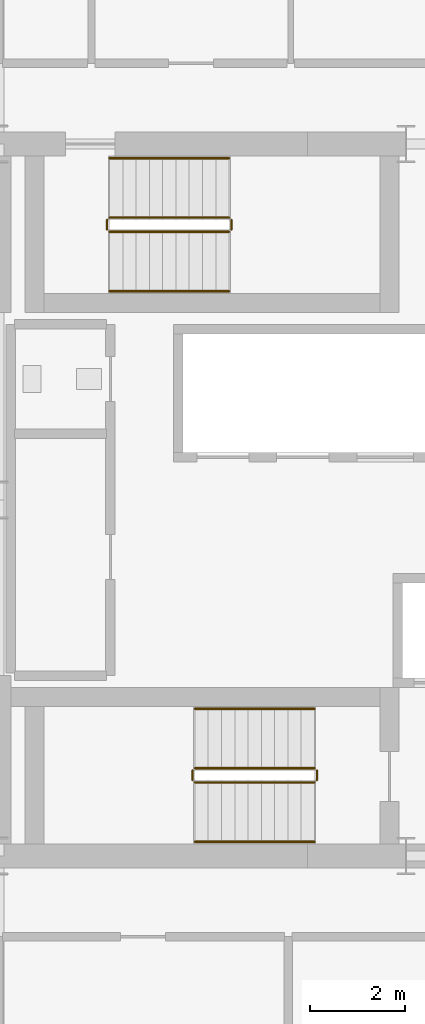
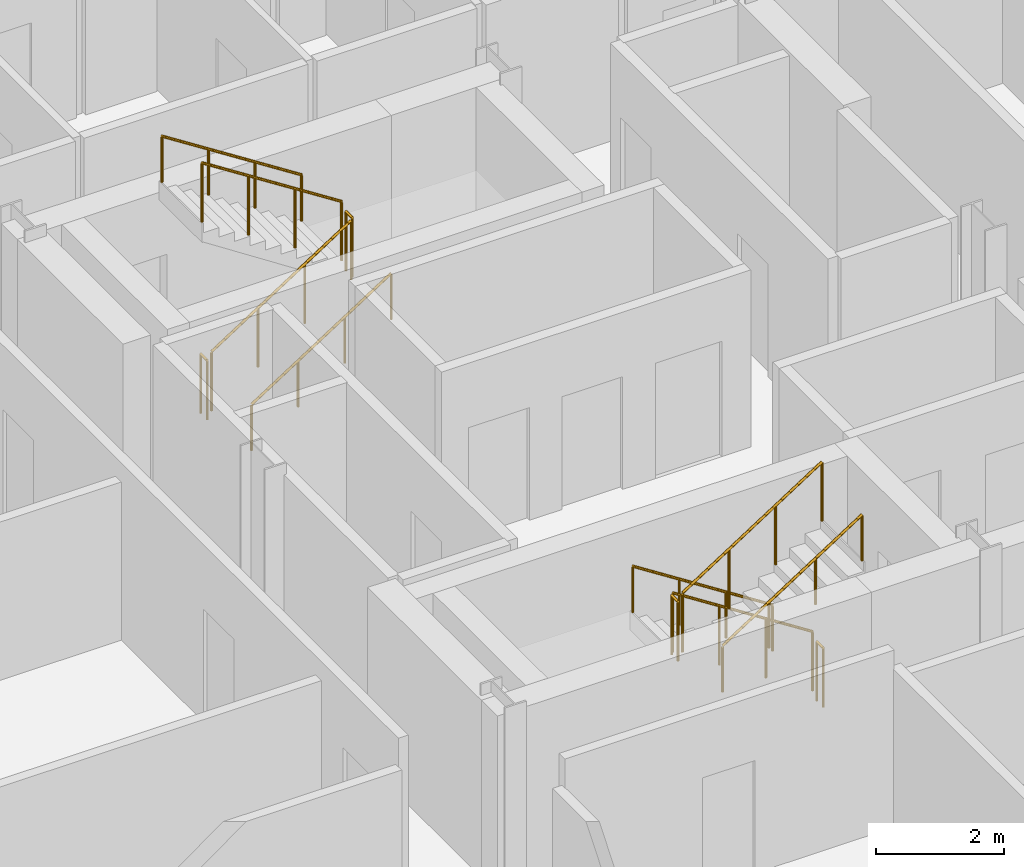
# One storey, part 20 of 21: 12 railings.
"""IFC4 building model written with IfcOpenShell, lengths in metres."""

from ifc_helpers import new_model, si_unit, direction, frame, origin, origin_2d, place, context, subcontext, project, spatial, circle, extrude, material, type_object, element, save


model = new_model("IFC4")

# Units and contexts
model_context = context("Model", 3, precision=1e-05, world=origin(), true_north=direction((0.0, 1.0)))
body_context = subcontext(model_context, "Body", "Model", "MODEL_VIEW")
ifc_project = project(units=[si_unit("LENGTHUNIT", "METRE"), si_unit("AREAUNIT", "SQUARE_METRE"), si_unit("VOLUMEUNIT", "CUBIC_METRE"), si_unit("PLANEANGLEUNIT", "RADIAN"), si_unit("MASSUNIT", "GRAM", prefix="KILO")], contexts=[model_context])

# Site, building, storey
site_placement = place(None, origin())
site = spatial("IfcSite", under=ifc_project, at=site_placement, CompositionType="ELEMENT")
building_placement = place(site_placement, origin())
building = spatial("IfcBuilding", under=site, at=building_placement, Name="Barlavira Tower and Art Museum", CompositionType="ELEMENT")
storey_placement = place(building_placement, frame((0.0, 0.0, 276.300048828125)))
storey = spatial("IfcBuildingStorey", under=building, at=storey_placement, Name="L72", CompositionType="ELEMENT", Elevation=276.300048828125)

# Railings
ifc_material = material(Name="Brushed stainless steel", Category="steel")
railing_type_1 = type_object("IfcRailingType", Name="Interior Void and Landing Guard Railing 1150", PredefinedType="GUARDRAIL", material=ifc_material)
railing_1_placement = place(storey_placement, frame((0.14990234375, -5.64990234375, 0.179931640625)))
element("IfcRailing", 1, at=railing_1_placement, inside=storey, type_object=railing_type_1, Name="L72 ST-T1 stair guard 1", PredefinedType="GUARDRAIL", context=body_context, shape_type="SweptSolid", body=[
    extrude(circle(Radius=0.02392578125, at=origin_2d()), frame((0.0, 0.0, 1.1259765625), z_axis=(-0.841162588446, 0.0, 0.540782303519), x_axis=(0.0, -1.0, 0.0)), (0.0, 0.0, 1.0), 2.995849609375),
    extrude(circle(Radius=0.02099609375, at=origin_2d()), origin(), (0.0, 0.0, 1.0), 1.101806640625),
    extrude(circle(Radius=0.02099609375, at=origin_2d()), frame((-0.840087890625, 0.0, 0.5400390625)), (0.0, 0.0, 1.0), 1.101806640625),
    extrude(circle(Radius=0.02099609375, at=origin_2d()), frame((-1.679931640625, 0.0, 1.080078125)), (0.0, 0.0, 1.0), 1.101806640625),
    extrude(circle(Radius=0.02099609375, at=origin_2d()), frame((-2.52001953125, 0.0, 1.6201171875)), (0.0, 0.0, 1.0), 1.101806640625),
])
railing_2_placement = place(storey_placement, frame((-2.419921875, -5.699951171875, 1.800048828125)))
element("IfcRailing", 2, at=railing_2_placement, inside=storey, type_object=railing_type_1, Name="L72 ST-T1 stair guard 2", PredefinedType="GUARDRAIL", context=body_context, shape_type="SweptSolid", body=[
    extrude(circle(Radius=0.02392578125, at=origin_2d()), frame((0.0, 0.0, 1.1259765625), z_axis=(0.0, -1.0, 0.0), x_axis=(1.0, 0.0, 0.0)), (0.0, 0.0, 1.0), 0.199951171875),
    extrude(circle(Radius=0.02099609375, at=origin_2d()), origin(), (0.0, 0.0, 1.0), 1.101806640625),
    extrude(circle(Radius=0.02099609375, at=origin_2d()), frame((0.0, -0.199951171875, 0.0)), (0.0, 0.0, 1.0), 1.101806640625),
])
railing_3_placement = place(storey_placement, frame((-2.3701171875, -5.949951171875, 1.97998046875)))
element("IfcRailing", 3, at=railing_3_placement, inside=storey, type_object=railing_type_1, Name="L72 ST-T1 stair guard 3", PredefinedType="GUARDRAIL", context=body_context, shape_type="SweptSolid", body=[
    extrude(circle(Radius=0.02392578125, at=origin_2d()), frame((0.0, 0.0, 1.1259765625), z_axis=(0.841199657755, 0.0, 0.540724639528), x_axis=(0.0, 1.0, 0.0)), (0.0, 0.0, 1.0), 2.995849609375),
    extrude(circle(Radius=0.02099609375, at=origin_2d()), origin(), (0.0, 0.0, 1.0), 1.101806640625),
    extrude(circle(Radius=0.02099609375, at=origin_2d()), frame((0.840087890625, 0.0, 0.5400390625)), (0.0, 0.0, 1.0), 1.101806640625),
    extrude(circle(Radius=0.02099609375, at=origin_2d()), frame((1.679931640625, 0.0, 1.079833984375)), (0.0, 0.0, 1.0), 1.101806640625),
    extrude(circle(Radius=0.02099609375, at=origin_2d()), frame((2.52001953125, 0.0, 1.619873046875)), (0.0, 0.0, 1.0), 1.101806640625),
])
railing_4_placement = place(storey_placement, frame((0.199951171875, -5.699951171875, 0.0)))
element("IfcRailing", 4, at=railing_4_placement, inside=storey, type_object=railing_type_1, Name="L72 ST-T1 stair guard 4", PredefinedType="GUARDRAIL", context=body_context, shape_type="SweptSolid", body=[
    extrude(circle(Radius=0.02392578125, at=origin_2d()), frame((0.0, 0.0, 1.1259765625), z_axis=(0.0, -1.0, 0.0), x_axis=(1.0, 0.0, 0.0)), (0.0, 0.0, 1.0), 0.199951171875),
    extrude(circle(Radius=0.02099609375, at=origin_2d()), origin(), (0.0, 0.0, 1.0), 1.101806640625),
    extrude(circle(Radius=0.02099609375, at=origin_2d()), frame((0.0, -0.199951171875, 0.0)), (0.0, 0.0, 1.0), 1.101806640625),
])
railing_5_placement = place(storey_placement, frame((-4.169921875, 5.64990234375, 0.179931640625)))
element("IfcRailing", 5, at=railing_5_placement, inside=storey, type_object=railing_type_1, Name="L72 ST-T2 stair guard 1", PredefinedType="GUARDRAIL", context=body_context, shape_type="SweptSolid", body=[
    extrude(circle(Radius=0.02392578125, at=origin_2d()), frame((0.0, 0.0, 1.1259765625), z_axis=(0.841162588446, 0.0, 0.540782303519), x_axis=(0.0, 1.0, 0.0)), (0.0, 0.0, 1.0), 2.995849609375),
    extrude(circle(Radius=0.02099609375, at=origin_2d()), origin(), (0.0, 0.0, 1.0), 1.101806640625),
    extrude(circle(Radius=0.02099609375, at=origin_2d()), frame((0.840087890625, 0.0, 0.5400390625)), (0.0, 0.0, 1.0), 1.101806640625),
    extrude(circle(Radius=0.02099609375, at=origin_2d()), frame((1.679931640625, 0.0, 1.080078125)), (0.0, 0.0, 1.0), 1.101806640625),
    extrude(circle(Radius=0.02099609375, at=origin_2d()), frame((2.52001953125, 0.0, 1.6201171875)), (0.0, 0.0, 1.0), 1.101806640625),
])
railing_6_placement = place(storey_placement, frame((-1.60009765625, 5.699951171875, 1.800048828125)))
element("IfcRailing", 6, at=railing_6_placement, inside=storey, type_object=railing_type_1, Name="L72 ST-T2 stair guard 2", PredefinedType="GUARDRAIL", context=body_context, shape_type="SweptSolid", body=[
    extrude(circle(Radius=0.02392578125, at=origin_2d()), frame((0.0, 0.0, 1.1259765625), z_axis=(0.0, 1.0, 0.0), x_axis=(-1.0, 0.0, 0.0)), (0.0, 0.0, 1.0), 0.199951171875),
    extrude(circle(Radius=0.02099609375, at=origin_2d()), origin(), (0.0, 0.0, 1.0), 1.101806640625),
    extrude(circle(Radius=0.02099609375, at=origin_2d()), frame((0.0, 0.199951171875, 0.0)), (0.0, 0.0, 1.0), 1.101806640625),
])
railing_7_placement = place(storey_placement, frame((-1.64990234375, 5.949951171875, 1.97998046875)))
element("IfcRailing", 7, at=railing_7_placement, inside=storey, type_object=railing_type_1, Name="L72 ST-T2 stair guard 3", PredefinedType="GUARDRAIL", context=body_context, shape_type="SweptSolid", body=[
    extrude(circle(Radius=0.02392578125, at=origin_2d()), frame((0.0, 0.0, 1.1259765625), z_axis=(-0.841199657755, 0.0, 0.540724639528), x_axis=(0.0, -1.0, 0.0)), (0.0, 0.0, 1.0), 2.995849609375),
    extrude(circle(Radius=0.02099609375, at=origin_2d()), origin(), (0.0, 0.0, 1.0), 1.101806640625),
    extrude(circle(Radius=0.02099609375, at=origin_2d()), frame((-0.840087890625, 0.0, 0.5400390625)), (0.0, 0.0, 1.0), 1.101806640625),
    extrude(circle(Radius=0.02099609375, at=origin_2d()), frame((-1.679931640625, 0.0, 1.079833984375)), (0.0, 0.0, 1.0), 1.101806640625),
    extrude(circle(Radius=0.02099609375, at=origin_2d()), frame((-2.52001953125, 0.0, 1.619873046875)), (0.0, 0.0, 1.0), 1.101806640625),
])
railing_8_placement = place(storey_placement, frame((-4.219970703125, 5.699951171875, 0.0)))
element("IfcRailing", 8, at=railing_8_placement, inside=storey, type_object=railing_type_1, Name="L72 ST-T2 stair guard 4", PredefinedType="GUARDRAIL", context=body_context, shape_type="SweptSolid", body=[
    extrude(circle(Radius=0.02392578125, at=origin_2d()), frame((0.0, 0.0, 1.1259765625), z_axis=(0.0, 1.0, 0.0), x_axis=(-1.0, 0.0, 0.0)), (0.0, 0.0, 1.0), 0.199951171875),
    extrude(circle(Radius=0.02099609375, at=origin_2d()), origin(), (0.0, 0.0, 1.0), 1.101806640625),
    extrude(circle(Radius=0.02099609375, at=origin_2d()), frame((0.0, 0.199951171875, 0.0)), (0.0, 0.0, 1.0), 1.101806640625),
])
railing_type_2 = type_object("IfcRailingType", Name="Stair Pitch Tubular Steel Handrail 920", PredefinedType="HANDRAIL", material=ifc_material)
railing_9_placement = place(storey_placement, frame((0.14990234375, -4.39990234375, 0.179931640625)))
element("IfcRailing", 9, at=railing_9_placement, inside=storey, type_object=railing_type_2, Name="L72 ST-T1 stair handrail 1", PredefinedType="HANDRAIL", context=body_context, shape_type="SweptSolid", body=[
    extrude(circle(Radius=0.02392578125, at=origin_2d()), frame((0.0, 0.0, 0.8759765625), z_axis=(-0.841162588446, 0.0, 0.540782303519), x_axis=(0.0, -1.0, 0.0)), (0.0, 0.0, 1.0), 2.995849609375),
    extrude(circle(Radius=0.02099609375, at=origin_2d()), origin(), (0.0, 0.0, 1.0), 0.851806640625),
    extrude(circle(Radius=0.02099609375, at=origin_2d()), frame((-0.840087890625, 0.0, 0.5400390625)), (0.0, 0.0, 1.0), 0.851806640625),
    extrude(circle(Radius=0.02099609375, at=origin_2d()), frame((-1.679931640625, 0.0, 1.080078125)), (0.0, 0.0, 1.0), 0.851806640625),
    extrude(circle(Radius=0.02099609375, at=origin_2d()), frame((-2.52001953125, 0.0, 1.6201171875)), (0.0, 0.0, 1.0), 0.851806640625),
])
railing_10_placement = place(storey_placement, frame((-2.3701171875, -7.199951171875, 1.97998046875)))
element("IfcRailing", 10, at=railing_10_placement, inside=storey, type_object=railing_type_2, Name="L72 ST-T1 stair handrail 2", PredefinedType="HANDRAIL", context=body_context, shape_type="SweptSolid", body=[
    extrude(circle(Radius=0.02392578125, at=origin_2d()), frame((0.0, 0.0, 0.8759765625), z_axis=(0.841199657755, 0.0, 0.540724639528), x_axis=(0.0, 1.0, 0.0)), (0.0, 0.0, 1.0), 2.995849609375),
    extrude(circle(Radius=0.02099609375, at=origin_2d()), origin(), (0.0, 0.0, 1.0), 0.851806640625),
    extrude(circle(Radius=0.02099609375, at=origin_2d()), frame((0.840087890625, 0.0, 0.5400390625)), (0.0, 0.0, 1.0), 0.851806640625),
    extrude(circle(Radius=0.02099609375, at=origin_2d()), frame((1.679931640625, 0.0, 1.079833984375)), (0.0, 0.0, 1.0), 0.851806640625),
    extrude(circle(Radius=0.02099609375, at=origin_2d()), frame((2.52001953125, 0.0, 1.619873046875)), (0.0, 0.0, 1.0), 0.851806640625),
])
railing_11_placement = place(storey_placement, frame((-4.169921875, 4.39990234375, 0.179931640625)))
element("IfcRailing", 11, at=railing_11_placement, inside=storey, type_object=railing_type_2, Name="L72 ST-T2 stair handrail 1", PredefinedType="HANDRAIL", context=body_context, shape_type="SweptSolid", body=[
    extrude(circle(Radius=0.02392578125, at=origin_2d()), frame((0.0, 0.0, 0.8759765625), z_axis=(0.841162588446, 0.0, 0.540782303519), x_axis=(0.0, 1.0, 0.0)), (0.0, 0.0, 1.0), 2.995849609375),
    extrude(circle(Radius=0.02099609375, at=origin_2d()), origin(), (0.0, 0.0, 1.0), 0.851806640625),
    extrude(circle(Radius=0.02099609375, at=origin_2d()), frame((0.840087890625, 0.0, 0.5400390625)), (0.0, 0.0, 1.0), 0.851806640625),
    extrude(circle(Radius=0.02099609375, at=origin_2d()), frame((1.679931640625, 0.0, 1.080078125)), (0.0, 0.0, 1.0), 0.851806640625),
    extrude(circle(Radius=0.02099609375, at=origin_2d()), frame((2.52001953125, 0.0, 1.6201171875)), (0.0, 0.0, 1.0), 0.851806640625),
])
railing_12_placement = place(storey_placement, frame((-1.64990234375, 7.199951171875, 1.97998046875)))
element("IfcRailing", 12, at=railing_12_placement, inside=storey, type_object=railing_type_2, Name="L72 ST-T2 stair handrail 2", PredefinedType="HANDRAIL", context=body_context, shape_type="SweptSolid", body=[
    extrude(circle(Radius=0.02392578125, at=origin_2d()), frame((0.0, 0.0, 0.8759765625), z_axis=(-0.841199657755, 0.0, 0.540724639528), x_axis=(0.0, -1.0, 0.0)), (0.0, 0.0, 1.0), 2.995849609375),
    extrude(circle(Radius=0.02099609375, at=origin_2d()), origin(), (0.0, 0.0, 1.0), 0.851806640625),
    extrude(circle(Radius=0.02099609375, at=origin_2d()), frame((-0.840087890625, 0.0, 0.5400390625)), (0.0, 0.0, 1.0), 0.851806640625),
    extrude(circle(Radius=0.02099609375, at=origin_2d()), frame((-1.679931640625, 0.0, 1.079833984375)), (0.0, 0.0, 1.0), 0.851806640625),
    extrude(circle(Radius=0.02099609375, at=origin_2d()), frame((-2.52001953125, 0.0, 1.619873046875)), (0.0, 0.0, 1.0), 0.851806640625),
])

save(model, "model.ifc")
